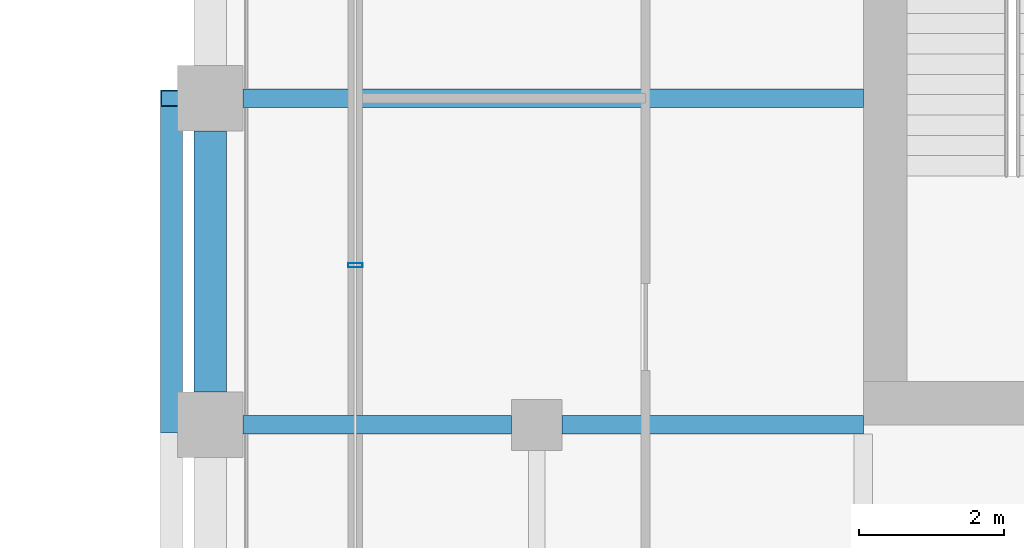
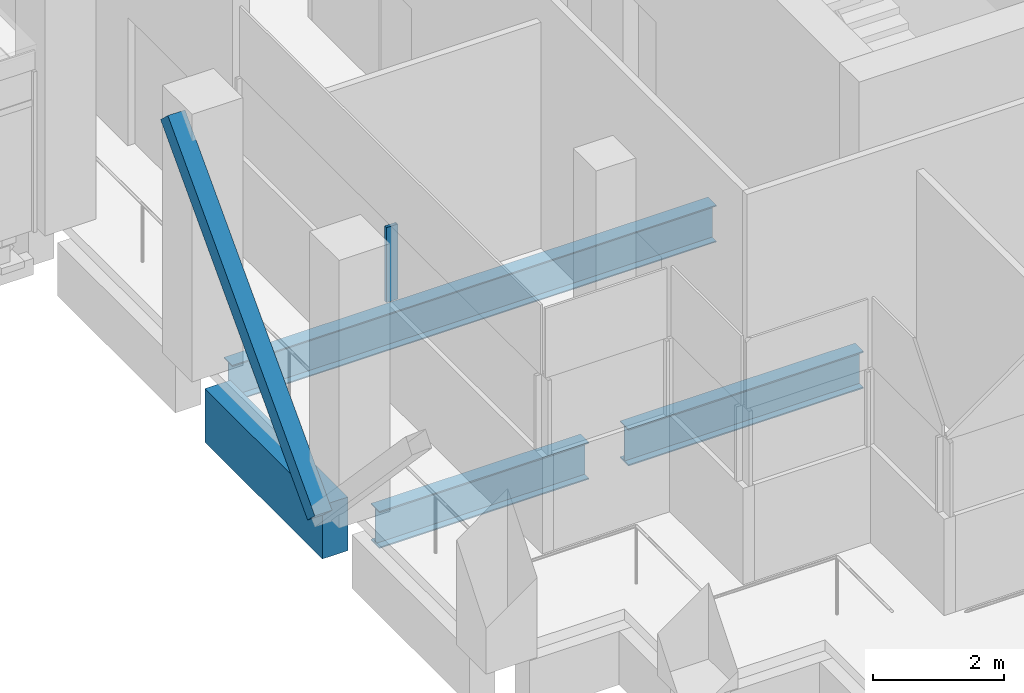
# One storey, part 22 of 34: 4 beams, 2 members, 1 element without a shape of its own.
"""IFC4 building model written with IfcOpenShell, lengths in metres."""

from ifc_helpers import new_model, si_unit, direction, frame, origin, origin_2d, place, context, subcontext, project, spatial, rectangle, hollow_rectangle, i_section, extrude, material, material_profile, profile_set, type_object, element, aggregate, save


model = new_model("IFC4")

# Units and contexts
model_context = context("Model", 3, precision=1e-05, world=origin(), true_north=direction((0.0, 1.0)))
body_context = subcontext(model_context, "Body", "Model", "MODEL_VIEW")
ifc_project = project(units=[si_unit("LENGTHUNIT", "METRE"), si_unit("AREAUNIT", "SQUARE_METRE"), si_unit("VOLUMEUNIT", "CUBIC_METRE"), si_unit("PLANEANGLEUNIT", "RADIAN"), si_unit("MASSUNIT", "GRAM", prefix="KILO")], contexts=[model_context])

# Site, building, storey
site_placement = place(None, origin())
site = spatial("IfcSite", under=ifc_project, at=site_placement, CompositionType="ELEMENT")
building_placement = place(site_placement, origin())
building = spatial("IfcBuilding", under=site, at=building_placement, Name="Altepetl Exchange Towers", CompositionType="ELEMENT")
storey_placement = place(building_placement, frame((0.0, 0.0, 190.60009765625)))
storey = spatial("IfcBuildingStorey", under=building, at=storey_placement, Name="L48 Refuge", CompositionType="ELEMENT", Elevation=190.60009765625)

# Member
ifc_material_1 = material(Name="Steel S355", Category="steel")
ifc_material_profile_1 = material_profile(ifc_material_1, hollow_rectangle(XDim=0.304931640625, YDim=0.304931640625, WallThickness=0.01171875, at=origin_2d()), Name="HSS305X305X12.7")
ifc_profile_set_1 = profile_set([ifc_material_profile_1], Name="Steel S355")
member_type_1 = type_object("IfcMemberType", Name="Belt diagonal HSS305X305X12.7", PredefinedType="BRACE", material=ifc_profile_set_1)
member_1_placement = place(storey_placement, frame((93.969970703125, 40.5, 4.75), z_axis=(0.0, -0.687744647911, -0.725952683906), x_axis=(1.0, 0.0, 0.0)))
element("IfcMember", 1, at=member_1_placement, inside=storey, type_object=member_type_1, Name="brc:B:L48:005", PredefinedType="BRACE", context=body_context, shape_type="SweptSolid", body=[
    extrude(hollow_rectangle(XDim=0.304931640625, YDim=0.304931640625, WallThickness=0.01171875, at=origin_2d()), origin(), (0.0, 0.0, 1.0), 6.543212890625),
])

# Beams
ifc_material_profile_2 = material_profile(ifc_material_1, i_section(OverallWidth=0.25390625, OverallDepth=0.68798828125, WebThickness=0.01318359375, FlangeThickness=0.02099609375, at=origin_2d()), Name="W27X102")
ifc_profile_set_2 = profile_set([ifc_material_profile_2], Name="Steel S355")
beam_type_1 = type_object("IfcBeamType", Name="Floor beam W27X102", PredefinedType="BEAM", material=ifc_profile_set_2)
beam_1_placement = place(storey_placement, frame((94.949951171875, 40.5, -0.544189453125), z_axis=(1.0, 0.0, 0.0), x_axis=(0.0, 1.0, 0.0)))
element("IfcBeam", 2, at=beam_1_placement, inside=storey, type_object=beam_type_1, Name="bm:B:L48:004", PredefinedType="BEAM", context=body_context, shape_type="SweptSolid", body=[
    extrude(i_section(OverallWidth=0.25390625, OverallDepth=0.68798828125, WebThickness=0.01318359375, FlangeThickness=0.02099609375, at=origin_2d()), origin(), (0.0, 0.0, 1.0), 8.550048828125),
])
ifc_material_profile_3 = material_profile(ifc_material_1, i_section(OverallWidth=0.256103515625, OverallDepth=0.69189453125, WebThickness=0.014404296875, FlangeThickness=0.02294921875, at=origin_2d()), Name="W27X114")
ifc_profile_set_3 = profile_set([ifc_material_profile_3], Name="Steel S355")
beam_type_2 = type_object("IfcBeamType", Name="Girder W27X114", PredefinedType="BEAM", material=ifc_profile_set_3)
beam_2_placement = place(storey_placement, frame((103.5, 36.0, -0.546142578125), z_axis=(-1.0, 0.0, 0.0), x_axis=(0.0, -1.0, 0.0)))
element("IfcBeam", 3, at=beam_2_placement, inside=storey, type_object=beam_type_2, Name="gd:B:L48:000", PredefinedType="BEAM", context=body_context, shape_type="SweptSolid", body=[
    extrude(i_section(OverallWidth=0.256103515625, OverallDepth=0.69189453125, WebThickness=0.014404296875, FlangeThickness=0.02294921875, at=origin_2d()), origin(), (0.0, 0.0, 1.0), 4.14990234375),
])
beam_3_placement = place(storey_placement, frame((98.64990234375, 36.0, -0.546142578125), z_axis=(-1.0, 0.0, 0.0), x_axis=(0.0, -1.0, 0.0)))
element("IfcBeam", 4, at=beam_3_placement, inside=storey, type_object=beam_type_2, Name="gd:B:L48:001", PredefinedType="BEAM", context=body_context, shape_type="SweptSolid", body=[
    extrude(i_section(OverallWidth=0.256103515625, OverallDepth=0.69189453125, WebThickness=0.014404296875, FlangeThickness=0.02294921875, at=origin_2d()), origin(), (0.0, 0.0, 1.0), 3.699951171875),
])

# Curtain wall, member
ifc_material_2 = material(Name="Aluminium 6063-T6 glazing", Category="aluminium")
curtain_wall_type = type_object("IfcCurtainWallType", Name="Refuge slit glazing system", PredefinedType="NOTDEFINED", material=ifc_material_2)
curtain_wall_placement = place(storey_placement, origin())
curtain_wall = element("IfcCurtainWall", 5, at=curtain_wall_placement, inside=storey, type_object=curtain_wall_type, Name="CW3 run", PredefinedType="NOTDEFINED")
ifc_material_3 = material(Name="Aluminium 6063-T6", Category="aluminium")
ifc_material_profile_4 = material_profile(ifc_material_3, hollow_rectangle(XDim=0.06005859375, YDim=0.199951171875, WallThickness=0.0029296875, at=origin_2d()), Name="Mullion 60x200 aluminium")
ifc_profile_set_4 = profile_set([ifc_material_profile_4], Name="Aluminium 6063-T6")
member_type_2 = type_object("IfcMemberType", Name="Mullion 60x200 aluminium", PredefinedType="MULLION", material=ifc_profile_set_4)
member_2_placement = place(storey_placement, frame((96.5, 38.199951171875, 1.7998046875), z_axis=(0.0, 0.0, 1.0), x_axis=(0.0, -1.0, 0.0)))
member_2 = element("IfcMember", 6, at=member_2_placement, type_object=member_type_2, Name="MU2 mullion", PredefinedType="MULLION", context=body_context, shape_type="SweptSolid", body=[
    extrude(hollow_rectangle(XDim=0.06005859375, YDim=0.199951171875, WallThickness=0.0029296875, at=origin_2d()), origin(), (0.0, 0.0, 1.0), 1.400146484375),
])
aggregate(curtain_wall, [member_2])

# Beam
ifc_material_4 = material(Name="Concrete C50/60 precast with cantera rosa facing", Category="concrete")
ifc_material_profile_5 = material_profile(ifc_material_4, rectangle(XDim=0.449951171875, YDim=1.0, at=origin_2d()), Name="450 x 1000")
ifc_profile_set_5 = profile_set([ifc_material_profile_5], Name="Concrete C50/60 precast with cantera rosa facing")
beam_type_3 = type_object("IfcBeamType", Name="Spandrel beam 450x1000 cantera rosa", PredefinedType="SPANDREL", material=ifc_profile_set_5)
beam_4_placement = place(storey_placement, frame((94.5, 40.050048828125, -0.7001953125), z_axis=(0.0, -1.0, 0.0), x_axis=(1.0, 0.0, 0.0)))
element("IfcBeam", 7, at=beam_4_placement, inside=storey, type_object=beam_type_3, Name="sp:B:L48:018", PredefinedType="SPANDREL", context=body_context, shape_type="SweptSolid", body=[
    extrude(rectangle(XDim=0.449951171875, YDim=1.0, at=origin_2d()), origin(), (0.0, 0.0, 1.0), 3.60009765625),
])

save(model, "model.ifc")
